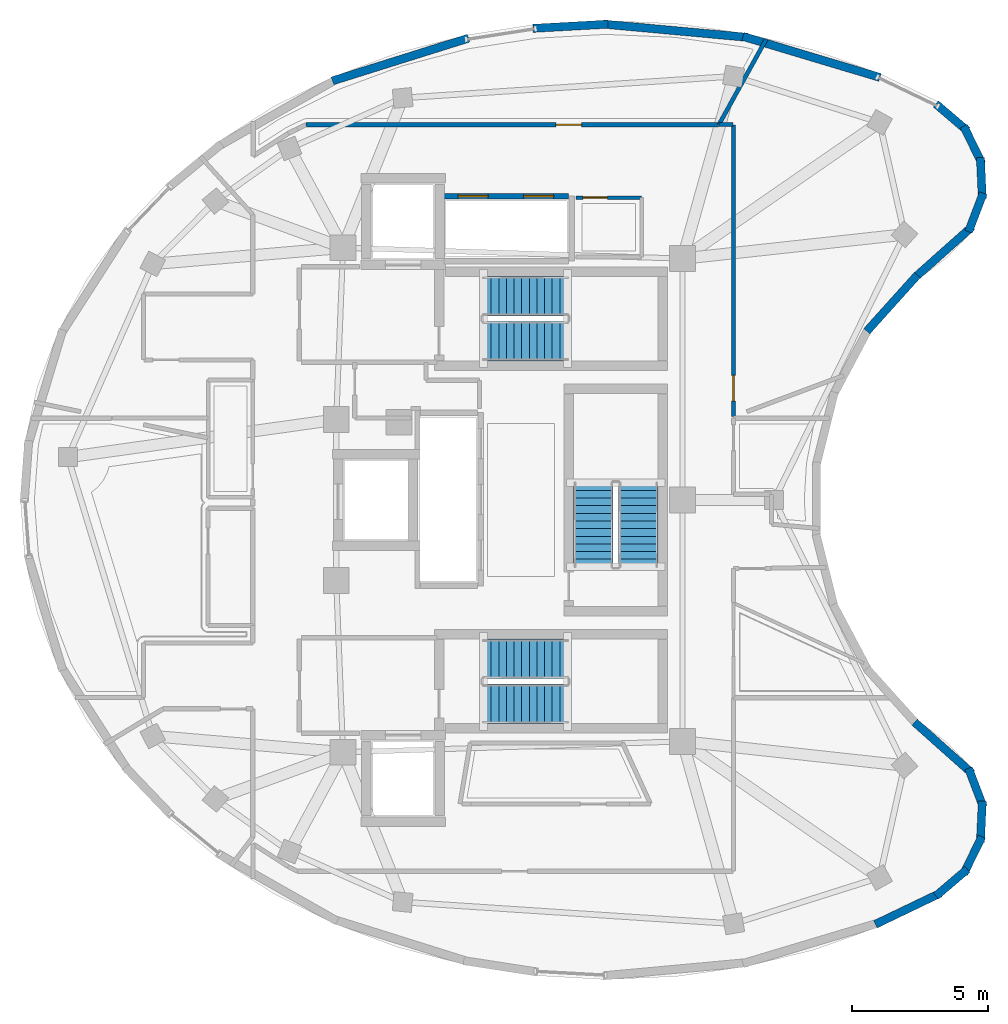
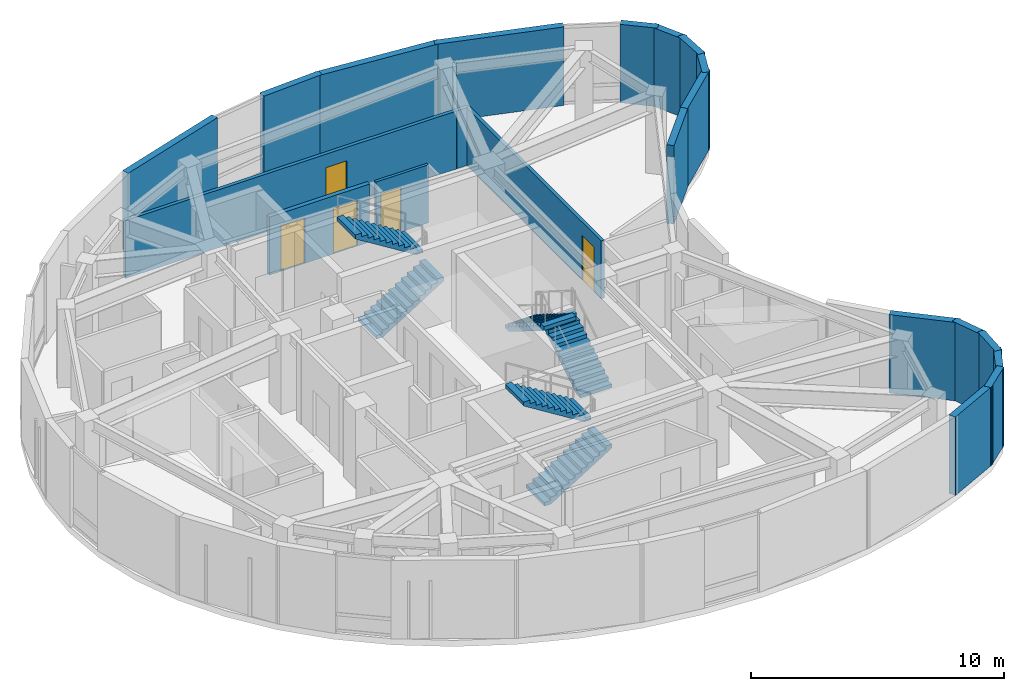
# One storey, part 6 of 8: 22 walls, 6 stair flights, 5 doors, 5 openings, 3 elements without a shape of their own.
"""IFC4 building model written with IfcOpenShell, lengths in metres."""

from ifc_helpers import new_model, si_unit, direction, frame, frame_2d, origin, place, context, subcontext, project, spatial, polyline, rectangle, outline, extrude, material, layer, layer_set, type_object, element, fill, aggregate, save


model = new_model("IFC4")

# Units and contexts
model_context = context("Model", 3, precision=1e-05, world=origin(), true_north=direction((0.0, 1.0)))
body_context = subcontext(model_context, "Body", "Model", "MODEL_VIEW")
ifc_project = project(units=[si_unit("LENGTHUNIT", "METRE"), si_unit("AREAUNIT", "SQUARE_METRE"), si_unit("VOLUMEUNIT", "CUBIC_METRE"), si_unit("PLANEANGLEUNIT", "RADIAN"), si_unit("MASSUNIT", "GRAM", prefix="KILO")], contexts=[model_context])

# Site, building, storey
site_placement = place(None, origin())
site = spatial("IfcSite", under=ifc_project, at=site_placement, CompositionType="ELEMENT")
building_placement = place(site_placement, origin())
building = spatial("IfcBuilding", under=site, at=building_placement, Name="Korentha Bioscience Tower", CompositionType="ELEMENT")
storey_placement = place(building_placement, frame((0.0, 0.0, 318.60009765625)))
storey = spatial("IfcBuildingStorey", under=building, at=storey_placement, Name="L73", CompositionType="ELEMENT", Elevation=318.60009765625)

# Wall, opening, door
ifc_material_1 = material(Name="Double-Stud Acoustic Gypsum", Category="gypsum")
ifc_layer_1 = layer(ifc_material_1, 0.14990234375, Name="Double-Stud Acoustic Gypsum")
ifc_layer_set_1 = layer_set([ifc_layer_1], Name="Double-Stud Acoustic Gypsum (IW-L150)")
wall_type_1 = type_object("IfcWallType", Name="Acoustic Laboratory Partition Wall 150", PredefinedType="PARTITIONING", material=ifc_layer_set_1)
wall_1_placement = place(storey_placement, frame((39.409912109375, 30.052978515625, 0.0), z_axis=(0.0, 0.0, 1.0), x_axis=(0.0, 1.0, 0.0)))
wall_1 = element("IfcWall", 1, at=wall_1_placement, inside=storey, type_object=wall_type_1, Name="L73 Observatory Souvenir & Audio-Guide Desk 07 Entrance Wall", PredefinedType="PARTITIONING", context=body_context, shape_type="SweptSolid", body=[
    extrude(rectangle(XDim=10.697021484375, YDim=0.14990234375, at=frame_2d((5.3486328125, 0.0))), origin(), (0.0, 0.0, 1.0), 2.7998046875),
])
opening_1_placement = place(wall_1_placement, frame((0.570556640625, 0.0, 0.0)))
opening_1 = element("IfcOpeningElement", 2, at=opening_1_placement, cuts=wall_1, Name="Opening ID-10L", PredefinedType="OPENING", context=body_context, shape_type="SweptSolid", body=[
    extrude(rectangle(XDim=0.949951171875, YDim=2.14990234375, at=frame_2d((0.47509765625, 1.074951171875))), frame((0.0, 0.08984375, 0.0), z_axis=(0.0, -1.0, 0.0), x_axis=(1.0, 0.0, 0.0)), (0.0, 0.0, 1.0), 0.1796875),
])
ifc_material_2 = material(Name="Phenolic Laminate Timber Core", Category="wood")
door_type_1 = type_object("IfcDoorType", Name="Laboratory Single Leaf Door 950x2150 Left", OperationType="SINGLE_SWING_LEFT", PredefinedType="DOOR", material=ifc_material_2)
door_1_placement = place(opening_1_placement, origin())
door_1 = element("IfcDoor", 3, at=door_1_placement, inside=storey, type_object=door_type_1, Name="L73 Observatory Souvenir & Audio-Guide Desk 07 Door", OperationType="SINGLE_SWING_LEFT", OverallHeight=2.14990234375, OverallWidth=0.949951171875, PredefinedType="DOOR", context=body_context, shape_type="SweptSolid", body=[
    extrude(rectangle(XDim=0.949951171875, YDim=2.14990234375, at=frame_2d((0.47509765625, 1.074951171875))), frame((0.0, 0.02490234375, 0.0), z_axis=(0.0, -1.0, 0.0), x_axis=(1.0, 0.0, 0.0)), (0.0, 0.0, 1.0), 0.050048828125),
])
fill(opening_1, door_1)

# Walls
wall_2_placement = place(storey_placement, frame((39.39990234375, 40.760009765625, 0.0), z_axis=(0.0, 0.0, 1.0), x_axis=(-1.0, 0.0, 0.0)))
element("IfcWall", 4, at=wall_2_placement, inside=storey, type_object=wall_type_1, Name="L73 Interior Partition 044", PredefinedType="PARTITIONING", context=body_context, shape_type="SweptSolid", body=[
    extrude(rectangle(XDim=0.5205078125, YDim=0.14990234375, at=frame_2d((0.26025390625, 0.0))), origin(), (0.0, 0.0, 1.0), 2.7998046875),
])
wall_3_placement = place(storey_placement, frame((38.87939453125, 40.760009765625, 0.0), z_axis=(0.0, 0.0, 1.0), x_axis=(0.484787461139, 0.874631989766, 0.0)))
element("IfcWall", 5, at=wall_3_placement, inside=storey, type_object=wall_type_1, Name="L73 Interior Partition 045", PredefinedType="PARTITIONING", context=body_context, shape_type="SweptSolid", body=[
    extrude(rectangle(XDim=3.587158203125, YDim=0.14990234375, at=frame_2d((1.79345703125, 0.0))), origin(), (0.0, 0.0, 1.0), 2.7998046875),
])

# Wall, opening, door
ifc_material_3 = material(Name="Gypsum-Clad Steel Stud", Category="steel")
ifc_layer_2 = layer(ifc_material_3, 0.159912109375, Name="Gypsum-Clad Steel Stud")
ifc_layer_set_2 = layer_set([ifc_layer_2], Name="Gypsum-Clad Steel Stud (IW-C160)")
wall_type_2 = type_object("IfcWallType", Name="Fire-Rated Corridor Partition Wall 160", PredefinedType="PARTITIONING", material=ifc_layer_set_2)
wall_4_placement = place(storey_placement, frame((38.869384765625, 40.760009765625, 0.0), z_axis=(0.0, 0.0, 1.0), x_axis=(-1.0, 0.0, 0.0)))
wall_4 = element("IfcWall", 6, at=wall_4_placement, inside=storey, type_object=wall_type_2, Name="L73 Observation Deck Chair Store 08 Entrance Wall", PredefinedType="PARTITIONING", context=body_context, shape_type="SweptSolid", body=[
    extrude(rectangle(XDim=15.132568359375, YDim=0.159912109375, at=frame_2d((7.56640625, 0.0))), origin(), (0.0, 0.0, 1.0), 2.7998046875),
])
opening_2_placement = place(wall_4_placement, frame((5.019287109375, 0.0, 0.0)))
opening_2 = element("IfcOpeningElement", 7, at=opening_2_placement, cuts=wall_4, Name="Opening ID-10R", PredefinedType="OPENING", context=body_context, shape_type="SweptSolid", body=[
    extrude(rectangle(XDim=0.949951171875, YDim=2.14990234375, at=frame_2d((0.47509765625, 1.074951171875))), frame((0.0, 0.0947265625, 0.0), z_axis=(0.0, -1.0, 0.0), x_axis=(1.0, 0.0, 0.0)), (0.0, 0.0, 1.0), 0.189697265625),
])
door_type_2 = type_object("IfcDoorType", Name="Laboratory Single Leaf Door 950x2150 Right", OperationType="SINGLE_SWING_RIGHT", PredefinedType="DOOR", material=ifc_material_2)
door_2_placement = place(opening_2_placement, origin())
door_2 = element("IfcDoor", 8, at=door_2_placement, inside=storey, type_object=door_type_2, Name="L73 Observation Deck Chair Store 08 Door", OperationType="SINGLE_SWING_RIGHT", OverallHeight=2.14990234375, OverallWidth=0.949951171875, PredefinedType="DOOR", context=body_context, shape_type="SweptSolid", body=[
    extrude(rectangle(XDim=0.949951171875, YDim=2.14990234375, at=frame_2d((0.47509765625, 1.074951171875))), frame((0.0, 0.02490234375, 0.0), z_axis=(0.0, -1.0, 0.0), x_axis=(1.0, 0.0, 0.0)), (0.0, 0.0, 1.0), 0.050048828125),
])
fill(opening_2, door_2)

# Walls
ifc_material_4 = material(Name="Honed Limestone Precast Concrete C40", Category="masonry")
ifc_layer_3 = layer(ifc_material_4, 0.300048828125, Name="Honed Limestone Precast Concrete C40")
ifc_layer_set_3 = layer_set([ifc_layer_3], Name="Honed Limestone Precast Concrete C40 (EW-ST300)")
wall_type_3 = type_object("IfcWallType", Name="Honed Limestone Cavity Spandrel Wall 300", PredefinedType="STANDARD", material=ifc_layer_set_3)
wall_5_placement = place(storey_placement, frame((44.786865234375, 42.4931640625, 0.0), z_axis=(0.0, 0.0, 1.0), x_axis=(-0.957960798093, 0.286899127423, 0.0)))
element("IfcWall", 9, at=wall_5_placement, inside=storey, type_object=wall_type_3, Name="L73 Limestone Perimeter Closure Wall 02", PredefinedType="STANDARD", context=body_context, shape_type="SweptSolid", body=[
    extrude(rectangle(XDim=5.240966796875, YDim=0.300048828125, at=frame_2d((2.62060546875, 0.0))), origin(), (0.0, 0.0, 1.0), 3.789794921875),
])
wall_6_placement = place(storey_placement, frame((39.94970703125, 43.96142578125, 0.0), z_axis=(0.0, 0.0, 1.0), x_axis=(-0.995809155395, 0.091455595959, 0.0)))
element("IfcWall", 10, at=wall_6_placement, inside=storey, type_object=wall_type_3, Name="L73 Limestone Perimeter Closure Wall 04", PredefinedType="STANDARD", context=body_context, shape_type="SweptSolid", body=[
    extrude(rectangle(XDim=5.33642578125, YDim=0.300048828125, at=frame_2d((2.668212890625, 0.0))), origin(), (0.0, 0.0, 1.0), 3.789794921875),
])
wall_7_placement = place(storey_placement, frame((34.81591796875, 44.446044921875, 0.0), z_axis=(0.0, 0.0, 1.0), x_axis=(-0.99847639055, -0.055180590022, 0.0)))
element("IfcWall", 11, at=wall_7_placement, inside=storey, type_object=wall_type_3, Name="L73 Limestone Perimeter Closure Wall 06", PredefinedType="STANDARD", context=body_context, shape_type="SweptSolid", body=[
    extrude(rectangle(XDim=2.75634765625, YDim=0.300048828125, at=frame_2d((1.378173828125, 0.0))), origin(), (0.0, 0.0, 1.0), 3.789794921875),
])
wall_8_placement = place(storey_placement, frame((29.70166015625, 43.93359375, 0.0), z_axis=(0.0, 0.0, 1.0), x_axis=(-0.954089764454, -0.299520819584, 0.0)))
element("IfcWall", 12, at=wall_8_placement, inside=storey, type_object=wall_type_3, Name="L73 Limestone Perimeter Closure Wall 08", PredefinedType="STANDARD", context=body_context, shape_type="SweptSolid", body=[
    extrude(rectangle(XDim=5.232177734375, YDim=0.300048828125, at=frame_2d((2.6162109375, 0.0))), origin(), (0.0, 0.0, 1.0), 3.789794921875),
])
wall_9_placement = place(storey_placement, frame((44.61767578125, 11.44140625, 0.0), z_axis=(0.0, 0.0, 1.0), x_axis=(0.901518731497, 0.43274007991, 0.0)))
element("IfcWall", 13, at=wall_9_placement, inside=storey, type_object=wall_type_3, Name="L73 Limestone Perimeter Closure Wall 36", PredefinedType="STANDARD", context=body_context, shape_type="SweptSolid", body=[
    extrude(rectangle(XDim=2.64208984375, YDim=0.300048828125, at=frame_2d((1.321044921875, 0.0))), origin(), (0.0, 0.0, 1.0), 3.789794921875),
])
wall_10_placement = place(storey_placement, frame((46.836181640625, 12.478515625, 0.0), z_axis=(0.0, 0.0, 1.0), x_axis=(0.760836293276, 0.64894386108, 0.0)))
element("IfcWall", 14, at=wall_10_placement, inside=storey, type_object=wall_type_3, Name="L73 Limestone Perimeter Closure Wall 37", PredefinedType="STANDARD", context=body_context, shape_type="SweptSolid", body=[
    extrude(rectangle(XDim=1.51416015625, YDim=0.300048828125, at=frame_2d((0.757080078125, 0.0))), origin(), (0.0, 0.0, 1.0), 3.789794921875),
])
for number, where, z_axis, x_axis, name in (
    (15, (47.857421875, 13.29248046875, 0.0), (0.0, 0.0, 1.0), (0.439652491549, 0.898167961283, 0.0), "L73 Limestone Perimeter Closure Wall 38"),
    (16, (48.47021484375, 14.44580078125, 0.0), (0.0, 0.0, 1.0), (0.045948834963, 0.998943794498, 0.0), "L73 Limestone Perimeter Closure Wall 39"),
    (17, (48.573486328125, 15.74755859375, 0.0), (0.0, 0.0, 1.0), (-0.35546567517, 0.934689335435, 0.0), "L73 Limestone Perimeter Closure Wall 40"),
):
    element("IfcWall", number, at=place(storey_placement, frame(where, z_axis=z_axis, x_axis=x_axis)), inside=storey, type_object=wall_type_3, Name=name, PredefinedType="STANDARD", context=body_context, shape_type="SweptSolid", body=[
        extrude(rectangle(XDim=1.514404296875, YDim=0.300048828125, at=frame_2d((0.75732421875, 0.0))), origin(), (0.0, 0.0, 1.0), 3.789794921875),
    ])
wall_11_placement = place(storey_placement, frame((48.160888671875, 16.980224609375, 0.0), z_axis=(0.0, 0.0, 1.0), x_axis=(-0.74683044211, 0.665014504156, 0.0)))
element("IfcWall", 18, at=wall_11_placement, inside=storey, type_object=wall_type_3, Name="L73 Limestone Perimeter Closure Wall 41", PredefinedType="STANDARD", context=body_context, shape_type="SweptSolid", body=[
    extrude(rectangle(XDim=2.81689453125, YDim=0.300048828125, at=frame_2d((1.408447265625, 0.0))), origin(), (0.0, 0.0, 1.0), 3.789794921875),
])
wall_12_placement = place(storey_placement, frame((44.302978515625, 33.186279296875, 0.0), z_axis=(0.0, 0.0, 1.0), x_axis=(0.669091119289, 0.743180377895, 0.0)))
element("IfcWall", 19, at=wall_12_placement, inside=storey, type_object=wall_type_3, Name="L73 Limestone Perimeter Closure Wall 55", PredefinedType="STANDARD", context=body_context, shape_type="SweptSolid", body=[
    extrude(rectangle(XDim=2.774658203125, YDim=0.300048828125, at=frame_2d((1.38720703125, 0.0))), origin(), (0.0, 0.0, 1.0), 3.789794921875),
])
wall_13_placement = place(storey_placement, frame((46.05712890625, 35.146484375, 0.0), z_axis=(0.0, 0.0, 1.0), x_axis=(0.74683044211, 0.665014504156, 0.0)))
element("IfcWall", 20, at=wall_13_placement, inside=storey, type_object=wall_type_3, Name="L73 Limestone Perimeter Closure Wall 57", PredefinedType="STANDARD", context=body_context, shape_type="SweptSolid", body=[
    extrude(rectangle(XDim=2.81689453125, YDim=0.300048828125, at=frame_2d((1.408447265625, 0.0))), origin(), (0.0, 0.0, 1.0), 3.789794921875),
])
for number, where, z_axis, x_axis, name in (
    (21, (48.03515625, 36.8369140625, 0.0), (0.0, 0.0, 1.0), (0.35546567517, 0.934689335435, 0.0), "L73 Limestone Perimeter Closure Wall 59"),
    (22, (48.539794921875, 38.04150390625, 0.0), (0.0, 0.0, 1.0), (-0.045948834963, 0.998943794498, 0.0), "L73 Limestone Perimeter Closure Wall 60"),
    (23, (48.523193359375, 39.347412109375, 0.0), (0.0, 0.0, 1.0), (-0.439652491549, 0.898167961283, 0.0), "L73 Limestone Perimeter Closure Wall 61"),
):
    element("IfcWall", number, at=place(storey_placement, frame(where, z_axis=z_axis, x_axis=x_axis)), inside=storey, type_object=wall_type_3, Name=name, PredefinedType="STANDARD", context=body_context, shape_type="SweptSolid", body=[
        extrude(rectangle(XDim=1.514404296875, YDim=0.300048828125, at=frame_2d((0.75732421875, 0.0))), origin(), (0.0, 0.0, 1.0), 3.789794921875),
    ])
wall_14_placement = place(storey_placement, frame((47.98828125, 40.538818359375, 0.0), z_axis=(0.0, 0.0, 1.0), x_axis=(-0.760836293276, 0.64894386108, 0.0)))
element("IfcWall", 24, at=wall_14_placement, inside=storey, type_object=wall_type_3, Name="L73 Limestone Perimeter Closure Wall 62", PredefinedType="STANDARD", context=body_context, shape_type="SweptSolid", body=[
    extrude(rectangle(XDim=1.51416015625, YDim=0.300048828125, at=frame_2d((0.757080078125, 0.0))), origin(), (0.0, 0.0, 1.0), 3.789794921875),
])

# Wall, openings, doors
ifc_material_5 = material(Name="Autoclaved Aerated Concrete Block C25", Category="concrete")
ifc_layer_4 = layer(ifc_material_5, 0.199951171875, Name="Autoclaved Aerated Concrete Block C25")
ifc_layer_set_4 = layer_set([ifc_layer_4], Name="Autoclaved Aerated Concrete Block C25 (IW-S200)")
wall_type_4 = type_object("IfcWallType", Name="Lift and Riser Shaft Enclosure Wall 200", PredefinedType="PARTITIONING", material=ifc_layer_set_4)
wall_15_placement = place(storey_placement, frame((28.800048828125, 38.139892578125, 0.0), z_axis=(0.0, 0.0, 1.0), x_axis=(1.0, 0.0, 0.0)))
wall_15 = element("IfcWall", 25, at=wall_15_placement, inside=storey, type_object=wall_type_4, Name="L73 Lift Bank OBS Shaft Wall +Y", PredefinedType="PARTITIONING", context=body_context, shape_type="SweptSolid", body=[
    extrude(rectangle(XDim=4.570068359375, YDim=0.199951171875, at=frame_2d((2.28515625, 0.0))), origin(), (0.0, 0.0, 1.0), 2.7998046875),
])
opening_3_placement = place(wall_15_placement, frame((0.52001953125, 0.0, 0.0)))
opening_3 = element("IfcOpeningElement", 26, at=opening_3_placement, cuts=wall_15, Name="Opening LD-11", PredefinedType="OPENING", context=body_context, shape_type="SweptSolid", body=[
    extrude(rectangle(XDim=1.10009765625, YDim=2.199951171875, at=frame_2d((0.550048828125, 1.10009765625))), frame((0.0, 0.11474609375, 0.0), z_axis=(0.0, -1.0, 0.0), x_axis=(1.0, 0.0, 0.0)), (0.0, 0.0, 1.0), 0.229736328125),
])
opening_4_placement = place(wall_15_placement, frame((2.919921875, 0.0, 0.0)))
opening_4 = element("IfcOpeningElement", 27, at=opening_4_placement, cuts=wall_15, Name="Opening LD-11", PredefinedType="OPENING", context=body_context, shape_type="SweptSolid", body=[
    extrude(rectangle(XDim=1.10009765625, YDim=2.199951171875, at=frame_2d((0.550048828125, 1.10009765625))), frame((0.0, 0.11474609375, 0.0), z_axis=(0.0, -1.0, 0.0), x_axis=(1.0, 0.0, 0.0)), (0.0, 0.0, 1.0), 0.229736328125),
])
ifc_material_6 = material(Name="Brushed Stainless Steel 304", Category="steel")
door_type_3 = type_object("IfcDoorType", Name="Passenger Lift Sliding Landing Door 1100x2200", OperationType="DOUBLE_DOOR_SLIDING", PredefinedType="DOOR", material=ifc_material_6)
door_3_placement = place(opening_3_placement, origin())
door_3 = element("IfcDoor", 28, at=door_3_placement, inside=storey, type_object=door_type_3, Name="L73 PL-X1 Sliding Lift Landing Door", OperationType="DOUBLE_DOOR_SLIDING", OverallHeight=2.199951171875, OverallWidth=1.10009765625, PredefinedType="DOOR", context=body_context, shape_type="SweptSolid", body=[
    extrude(rectangle(XDim=1.10009765625, YDim=2.199951171875, at=frame_2d((0.550048828125, 1.10009765625))), frame((0.0, 0.02490234375, 0.0), z_axis=(0.0, -1.0, 0.0), x_axis=(1.0, 0.0, 0.0)), (0.0, 0.0, 1.0), 0.050048828125),
])
fill(opening_3, door_3)
door_4_placement = place(opening_4_placement, origin())
door_4 = element("IfcDoor", 29, at=door_4_placement, inside=storey, type_object=door_type_3, Name="L73 PL-X2 Sliding Lift Landing Door", OperationType="DOUBLE_DOOR_SLIDING", OverallHeight=2.199951171875, OverallWidth=1.10009765625, PredefinedType="DOOR", context=body_context, shape_type="SweptSolid", body=[
    extrude(rectangle(XDim=1.10009765625, YDim=2.199951171875, at=frame_2d((0.550048828125, 1.10009765625))), frame((0.0, 0.02490234375, 0.0), z_axis=(0.0, -1.0, 0.0), x_axis=(1.0, 0.0, 0.0)), (0.0, 0.0, 1.0), 0.050048828125),
])
fill(opening_4, door_4)

# Wall, opening, door
ifc_material_7 = material(Name="Cement-Board Steel Stud", Category="steel")
ifc_layer_5 = layer(ifc_material_7, 0.1298828125, Name="Cement-Board Steel Stud")
ifc_layer_set_5 = layer_set([ifc_layer_5], Name="Cement-Board Steel Stud (IW-W130)")
wall_type_5 = type_object("IfcWallType", Name="Wet-Area Moisture-Resistant Partition 130", PredefinedType="PARTITIONING", material=ifc_layer_set_5)
wall_16_placement = place(storey_placement, frame((33.64990234375, 38.090087890625, 0.0), z_axis=(0.0, 0.0, 1.0), x_axis=(1.0, 0.0, 0.0)))
wall_16 = element("IfcWall", 30, at=wall_16_placement, inside=storey, type_object=wall_type_5, Name="L73 Accessible Staff WC Entrance Wall", PredefinedType="PARTITIONING", context=body_context, shape_type="SweptSolid", body=[
    extrude(rectangle(XDim=2.400146484375, YDim=0.1298828125, at=frame_2d((1.2001953125, 0.0))), origin(), (0.0, 0.0, 1.0), 2.7998046875),
])
opening_5_placement = place(wall_16_placement, frame((0.239990234375, 0.0, 0.0)))
opening_5 = element("IfcOpeningElement", 31, at=opening_5_placement, cuts=wall_16, Name="Opening ID-09R", PredefinedType="OPENING", context=body_context, shape_type="SweptSolid", body=[
    extrude(rectangle(XDim=0.89990234375, YDim=2.14990234375, at=frame_2d((0.449951171875, 1.074951171875))), frame((0.0, 0.079833984375, 0.0), z_axis=(0.0, -1.0, 0.0), x_axis=(1.0, 0.0, 0.0)), (0.0, 0.0, 1.0), 0.15966796875),
])
ifc_material_8 = material(Name="Moisture-Resistant HPL Leaf", Category="wood")
door_type_4 = type_object("IfcDoorType", Name="Restroom & Accessible WC Door 900x2150 Right", OperationType="SINGLE_SWING_RIGHT", PredefinedType="DOOR", material=ifc_material_8)
door_5_placement = place(opening_5_placement, origin())
door_5 = element("IfcDoor", 32, at=door_5_placement, inside=storey, type_object=door_type_4, Name="L73 Accessible Staff WC Door", OperationType="SINGLE_SWING_RIGHT", OverallHeight=2.14990234375, OverallWidth=0.89990234375, PredefinedType="DOOR", context=body_context, shape_type="SweptSolid", body=[
    extrude(rectangle(XDim=0.89990234375, YDim=2.14990234375, at=frame_2d((0.449951171875, 1.074951171875))), frame((0.0, 0.02490234375, 0.0), z_axis=(0.0, -1.0, 0.0), x_axis=(1.0, 0.0, 0.0)), (0.0, 0.0, 1.0), 0.050048828125),
])
fill(opening_5, door_5)

# Stair, stair flights
ifc_material_9 = material(Name="Precast Concrete C50", Category="concrete")
stair_type = type_object("IfcStairType", Name="Core Exit Dog-Leg Stair 1450", PredefinedType="HALF_TURN_STAIR", material=ifc_material_9)
stair_1_placement = place(storey_placement, origin())
stair_1 = element("IfcStair", 33, at=stair_1_placement, inside=storey, type_object=stair_type, Name="L73 Tower North Pressurized Exit Stair ST-1", PredefinedType="HALF_TURN_STAIR")
stair_flight_type = type_object("IfcStairFlightType", Name="Core Exit Dog-Leg Stair 1450 Flight", PredefinedType="STRAIGHT", material=ifc_material_9)
stair_flight_1_placement = place(storey_placement, frame((30.25, 32.824951171875, 0.0), z_axis=(0.0, 0.0, 1.0), x_axis=(1.0, 0.0, 0.0)))
stair_flight_1 = element("IfcStairFlight", 34, at=stair_flight_1_placement, type_object=stair_flight_type, Name="ST-1 flight 1", NumberOfRisers=12, NumberOfTreads=11, PredefinedType="STRAIGHT", RiserHeight=0.175, TreadLength=0.28, context=body_context, shape_type="SweptSolid", body=[
    extrude(outline(polyline([(0.0, 0.0), (0.0, 0.175048828125), (0.280029296875, 0.175048828125), (0.280029296875, 0.35009765625), (0.56005859375, 0.35009765625), (0.56005859375, 0.52490234375), (0.840087890625, 0.52490234375), (0.840087890625, 0.699951171875), (1.1201171875, 0.699951171875), (1.1201171875, 0.875), (1.39990234375, 0.875), (1.39990234375, 1.050048828125), (1.679931640625, 1.050048828125), (1.679931640625, 1.22509765625), (1.9599609375, 1.22509765625), (1.9599609375, 1.39990234375), (2.239990234375, 1.39990234375), (2.239990234375, 1.574951171875), (2.52001953125, 1.574951171875), (2.52001953125, 1.75), (2.800048828125, 1.75), (2.800048828125, 1.925048828125), (3.080078125, 1.925048828125), (3.080078125, 2.10009765625), (3.080078125, 1.736328125), (0.3017578125, 0.0), (0.0, 0.0)])), frame((0.0, 0.72509765625, 0.0), z_axis=(0.0, -1.0, 0.0), x_axis=(1.0, 0.0, 0.0)), (0.0, 0.0, 1.0), 1.449951171875),
])
stair_flight_2_placement = place(storey_placement, frame((33.330078125, 34.47509765625, 2.099853515625), z_axis=(0.0, 0.0, 1.0), x_axis=(-1.0, 0.0, 0.0)))
stair_flight_2 = element("IfcStairFlight", 35, at=stair_flight_2_placement, type_object=stair_flight_type, Name="ST-1 flight 2", NumberOfRisers=12, NumberOfTreads=11, PredefinedType="STRAIGHT", RiserHeight=0.175, TreadLength=0.28, context=body_context, shape_type="SweptSolid", body=[
    extrude(outline(polyline([(0.0, 0.0), (0.0, 0.175048828125), (0.280029296875, 0.175048828125), (0.280029296875, 0.35009765625), (0.56005859375, 0.35009765625), (0.56005859375, 0.52490234375), (0.840087890625, 0.52490234375), (0.840087890625, 0.699951171875), (1.1201171875, 0.699951171875), (1.1201171875, 0.875), (1.39990234375, 0.875), (1.39990234375, 1.050048828125), (1.679931640625, 1.050048828125), (1.679931640625, 1.22509765625), (1.9599609375, 1.22509765625), (1.9599609375, 1.39990234375), (2.239990234375, 1.39990234375), (2.239990234375, 1.574951171875), (2.52001953125, 1.574951171875), (2.52001953125, 1.75), (2.800048828125, 1.75), (2.800048828125, 1.925048828125), (3.080078125, 1.925048828125), (3.080078125, 2.10009765625), (3.080078125, 1.736328125), (0.3017578125, 0.0), (0.0, 0.0)])), frame((0.0, 0.72509765625, 0.0), z_axis=(0.0, -1.0, 0.0), x_axis=(1.0, 0.0, 0.0)), (0.0, 0.0, 1.0), 1.449951171875),
])
aggregate(stair_1, [stair_flight_1, stair_flight_2])

stair_2_placement = place(storey_placement, origin())
stair_2 = element("IfcStair", 36, at=stair_2_placement, inside=storey, type_object=stair_type, Name="L73 Tower South Pressurized Exit Stair ST-2", PredefinedType="HALF_TURN_STAIR")
stair_flight_3_placement = place(storey_placement, frame((30.25, 19.52490234375, 0.0), z_axis=(0.0, 0.0, 1.0), x_axis=(1.0, 0.0, 0.0)))
stair_flight_3 = element("IfcStairFlight", 37, at=stair_flight_3_placement, type_object=stair_flight_type, Name="ST-2 flight 1", NumberOfRisers=12, NumberOfTreads=11, PredefinedType="STRAIGHT", RiserHeight=0.175, TreadLength=0.28, context=body_context, shape_type="SweptSolid", body=[
    extrude(outline(polyline([(0.0, 0.0), (0.0, 0.175048828125), (0.280029296875, 0.175048828125), (0.280029296875, 0.35009765625), (0.56005859375, 0.35009765625), (0.56005859375, 0.52490234375), (0.840087890625, 0.52490234375), (0.840087890625, 0.699951171875), (1.1201171875, 0.699951171875), (1.1201171875, 0.875), (1.39990234375, 0.875), (1.39990234375, 1.050048828125), (1.679931640625, 1.050048828125), (1.679931640625, 1.22509765625), (1.9599609375, 1.22509765625), (1.9599609375, 1.39990234375), (2.239990234375, 1.39990234375), (2.239990234375, 1.574951171875), (2.52001953125, 1.574951171875), (2.52001953125, 1.75), (2.800048828125, 1.75), (2.800048828125, 1.925048828125), (3.080078125, 1.925048828125), (3.080078125, 2.10009765625), (3.080078125, 1.736328125), (0.3017578125, 0.0), (0.0, 0.0)])), frame((0.0, 0.72509765625, 0.0), z_axis=(0.0, -1.0, 0.0), x_axis=(1.0, 0.0, 0.0)), (0.0, 0.0, 1.0), 1.449951171875),
])
stair_flight_4_placement = place(storey_placement, frame((33.330078125, 21.175048828125, 2.099853515625), z_axis=(0.0, 0.0, 1.0), x_axis=(-1.0, 0.0, 0.0)))
stair_flight_4 = element("IfcStairFlight", 38, at=stair_flight_4_placement, type_object=stair_flight_type, Name="ST-2 flight 2", NumberOfRisers=12, NumberOfTreads=11, PredefinedType="STRAIGHT", RiserHeight=0.175, TreadLength=0.28, context=body_context, shape_type="SweptSolid", body=[
    extrude(outline(polyline([(0.0, 0.0), (0.0, 0.175048828125), (0.280029296875, 0.175048828125), (0.280029296875, 0.35009765625), (0.56005859375, 0.35009765625), (0.56005859375, 0.52490234375), (0.840087890625, 0.52490234375), (0.840087890625, 0.699951171875), (1.1201171875, 0.699951171875), (1.1201171875, 0.875), (1.39990234375, 0.875), (1.39990234375, 1.050048828125), (1.679931640625, 1.050048828125), (1.679931640625, 1.22509765625), (1.9599609375, 1.22509765625), (1.9599609375, 1.39990234375), (2.239990234375, 1.39990234375), (2.239990234375, 1.574951171875), (2.52001953125, 1.574951171875), (2.52001953125, 1.75), (2.800048828125, 1.75), (2.800048828125, 1.925048828125), (3.080078125, 1.925048828125), (3.080078125, 2.10009765625), (3.080078125, 1.736328125), (0.3017578125, 0.0), (0.0, 0.0)])), frame((0.0, 0.72509765625, 0.0), z_axis=(0.0, -1.0, 0.0), x_axis=(1.0, 0.0, 0.0)), (0.0, 0.0, 1.0), 1.449951171875),
])
aggregate(stair_2, [stair_flight_3, stair_flight_4])

stair_3_placement = place(storey_placement, origin())
stair_3 = element("IfcStair", 39, at=stair_3_placement, inside=storey, type_object=stair_type, Name="L73 Tower Central Pressurized Exit Stair ST-3", PredefinedType="HALF_TURN_STAIR")
stair_flight_5_placement = place(storey_placement, frame((35.925048828125, 24.550048828125, 0.0), z_axis=(0.0, 0.0, 1.0), x_axis=(0.0, 1.0, 0.0)))
stair_flight_5 = element("IfcStairFlight", 40, at=stair_flight_5_placement, type_object=stair_flight_type, Name="ST-3 flight 1", NumberOfRisers=12, NumberOfTreads=11, PredefinedType="STRAIGHT", RiserHeight=0.175, TreadLength=0.28, context=body_context, shape_type="SweptSolid", body=[
    extrude(outline(polyline([(0.0, 0.0), (0.0, 0.175048828125), (0.280029296875, 0.175048828125), (0.280029296875, 0.35009765625), (0.56005859375, 0.35009765625), (0.56005859375, 0.52490234375), (0.840087890625, 0.52490234375), (0.840087890625, 0.699951171875), (1.1201171875, 0.699951171875), (1.1201171875, 0.875), (1.39990234375, 0.875), (1.39990234375, 1.050048828125), (1.679931640625, 1.050048828125), (1.679931640625, 1.22509765625), (1.9599609375, 1.22509765625), (1.9599609375, 1.39990234375), (2.239990234375, 1.39990234375), (2.239990234375, 1.574951171875), (2.52001953125, 1.574951171875), (2.52001953125, 1.75), (2.800048828125, 1.75), (2.800048828125, 1.925048828125), (3.080078125, 1.925048828125), (3.080078125, 2.10009765625), (3.080078125, 1.736328125), (0.3017578125, 0.0), (0.0, 0.0)])), frame((0.0, 0.72509765625, 0.0), z_axis=(0.0, -1.0, 0.0), x_axis=(1.0, 0.0, 0.0)), (0.0, 0.0, 1.0), 1.449951171875),
])
stair_flight_6_placement = place(storey_placement, frame((34.27490234375, 27.6298828125, 2.099853515625), z_axis=(0.0, 0.0, 1.0), x_axis=(0.0, -1.0, 0.0)))
stair_flight_6 = element("IfcStairFlight", 41, at=stair_flight_6_placement, type_object=stair_flight_type, Name="ST-3 flight 2", NumberOfRisers=12, NumberOfTreads=11, PredefinedType="STRAIGHT", RiserHeight=0.175, TreadLength=0.28, context=body_context, shape_type="SweptSolid", body=[
    extrude(outline(polyline([(0.0, 0.0), (0.0, 0.175048828125), (0.280029296875, 0.175048828125), (0.280029296875, 0.35009765625), (0.56005859375, 0.35009765625), (0.56005859375, 0.52490234375), (0.840087890625, 0.52490234375), (0.840087890625, 0.699951171875), (1.1201171875, 0.699951171875), (1.1201171875, 0.875), (1.39990234375, 0.875), (1.39990234375, 1.050048828125), (1.679931640625, 1.050048828125), (1.679931640625, 1.22509765625), (1.9599609375, 1.22509765625), (1.9599609375, 1.39990234375), (2.239990234375, 1.39990234375), (2.239990234375, 1.574951171875), (2.52001953125, 1.574951171875), (2.52001953125, 1.75), (2.800048828125, 1.75), (2.800048828125, 1.925048828125), (3.080078125, 1.925048828125), (3.080078125, 2.10009765625), (3.080078125, 1.736328125), (0.3017578125, 0.0), (0.0, 0.0)])), frame((0.0, 0.72509765625, 0.0), z_axis=(0.0, -1.0, 0.0), x_axis=(1.0, 0.0, 0.0)), (0.0, 0.0, 1.0), 1.449951171875),
])
aggregate(stair_3, [stair_flight_5, stair_flight_6])

save(model, "model.ifc")
